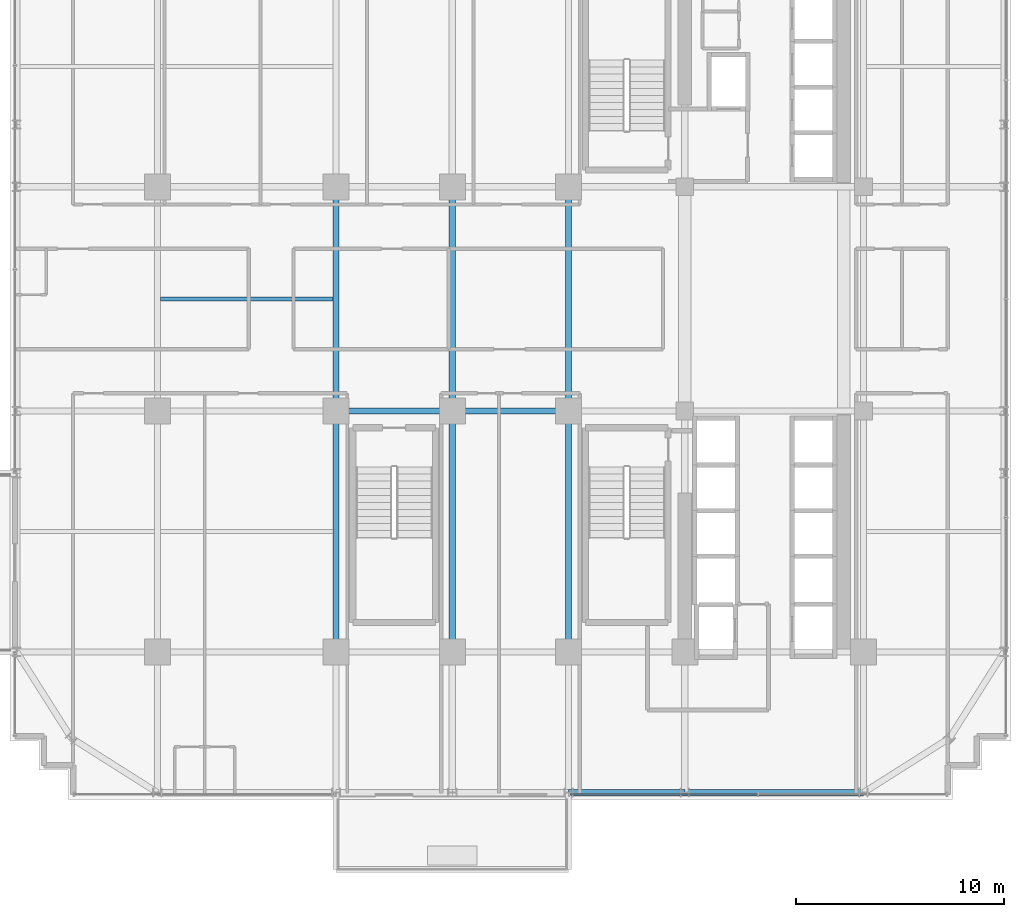
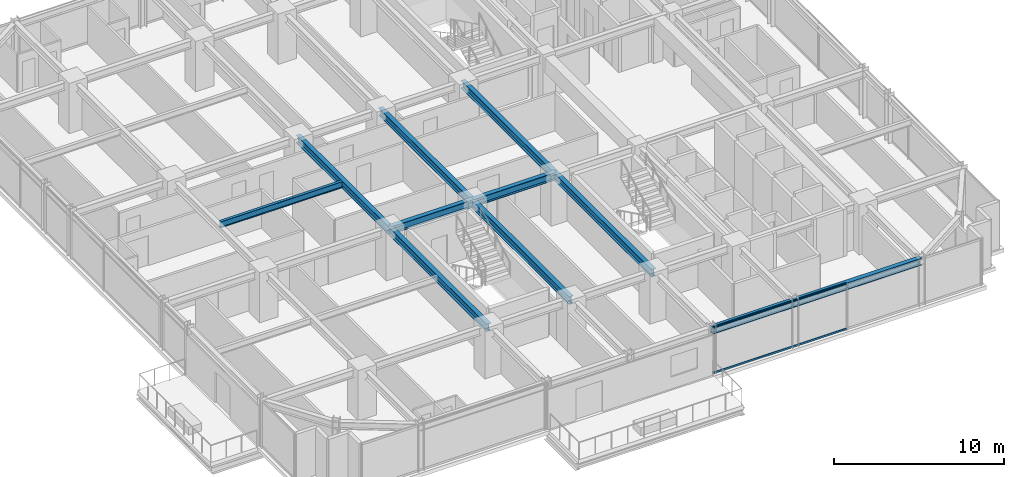
# One storey, part 9 of 31: 11 beams, 2 members, 1 element without a shape of its own.
"""IFC4 building model written with IfcOpenShell, lengths in metres."""

from ifc_helpers import new_model, si_unit, direction, frame, origin, origin_2d, place, context, subcontext, project, spatial, hollow_rectangle, i_section, extrude, source, transform, mapped, material, material_profile, profile_set, type_object, element, aggregate, save


model = new_model("IFC4")

# Units and contexts
model_context = context("Model", 3, precision=1e-05, world=origin(), true_north=direction((0.0, 1.0)))
body_context = subcontext(model_context, "Body", "Model", "MODEL_VIEW")
ifc_project = project(units=[si_unit("LENGTHUNIT", "METRE"), si_unit("AREAUNIT", "SQUARE_METRE"), si_unit("VOLUMEUNIT", "CUBIC_METRE"), si_unit("PLANEANGLEUNIT", "RADIAN"), si_unit("MASSUNIT", "GRAM", prefix="KILO")], contexts=[model_context])

# Site, building, storey
site_placement = place(None, origin())
site = spatial("IfcSite", under=ifc_project, at=site_placement, CompositionType="ELEMENT")
building_placement = place(site_placement, origin())
building = spatial("IfcBuilding", under=site, at=building_placement, Name="Nahalor Promenade Grand Hotel", CompositionType="ELEMENT")
storey_placement = place(building_placement, frame((0.0, 0.0, 95.60009765625)))
storey = spatial("IfcBuildingStorey", under=building, at=storey_placement, Name="L23", CompositionType="ELEMENT", Elevation=95.60009765625)

# Beams
ifc_material_1 = material(Name="Steel S355JR", Category="steel")
ifc_material_profile_1 = material_profile(ifc_material_1, i_section(OverallWidth=0.3, OverallDepth=0.5, WebThickness=0.0145, FlangeThickness=0.028, at=origin_2d()), Name="HEB 500")
ifc_profile_set_1 = profile_set([ifc_material_profile_1], Name="Steel S355JR")
beam_type_1 = type_object("IfcBeamType", Name="Beam-Spandrel-HEB500", PredefinedType="SPANDREL", material=ifc_profile_set_1)
shared_shape_1 = source(origin(), body_context, "Body", "SweptSolid", [
    extrude(i_section(OverallWidth=0.3, OverallDepth=0.5, WebThickness=0.0145, FlangeThickness=0.028, at=origin_2d()), origin(), (0.0, 0.0, 1.0), 8.60009765625),
])
beam_1_placement = place(storey_placement, frame((8.39990234375, -23.780029296875, 3.1298828125), z_axis=(1.0, 0.0, 0.0), x_axis=(0.0, 1.0, 0.0)))
element("IfcBeam", 1, at=beam_1_placement, inside=storey, type_object=beam_type_1, Name="BM-L23-SP-S-4", PredefinedType="SPANDREL", context=body_context, shape_type="MappedRepresentation", body=[
    mapped(shared_shape_1, transform((0.0, 0.0, 0.0), scale=1.0)),
])
shared_shape_2 = source(origin(), body_context, "Body", "SweptSolid", [
    extrude(i_section(OverallWidth=0.3, OverallDepth=0.5, WebThickness=0.0145, FlangeThickness=0.028, at=origin_2d()), origin(), (0.0, 0.0, 1.0), 5.599853515625),
])
beam_2_placement = place(storey_placement, frame((2.800048828125, -23.780029296875, 3.1298828125), z_axis=(1.0, 0.0, 0.0), x_axis=(0.0, 1.0, 0.0)))
element("IfcBeam", 2, at=beam_2_placement, inside=storey, type_object=beam_type_1, Name="BM-L23-SP-S-3", PredefinedType="SPANDREL", context=body_context, shape_type="MappedRepresentation", body=[
    mapped(shared_shape_2, transform((0.0, 0.0, 0.0), scale=1.0)),
])
ifc_material_profile_2 = material_profile(ifc_material_1, i_section(OverallWidth=0.3, OverallDepth=0.55, WebThickness=0.015, FlangeThickness=0.029, at=origin_2d()), Name="HEB 550")
ifc_profile_set_2 = profile_set([ifc_material_profile_2], Name="Steel S355JR")
beam_type_2 = type_object("IfcBeamType", Name="Beam-Girder-HEB550", PredefinedType="BEAM", material=ifc_profile_set_2)
shared_shape_3 = source(origin(), body_context, "Body", "SweptSolid", [
    extrude(i_section(OverallWidth=0.3, OverallDepth=0.55, WebThickness=0.015, FlangeThickness=0.029, at=origin_2d()), origin(), (0.0, 0.0, 1.0), 5.599853515625),
])
beam_3_placement = place(storey_placement, frame((-8.39990234375, -5.39990234375, 3.10498046875), z_axis=(1.0, 0.0, 0.0), x_axis=(0.0, 1.0, 0.0)))
element("IfcBeam", 3, at=beam_3_placement, inside=storey, type_object=beam_type_2, Name="BM-L23-GX-1-2", PredefinedType="BEAM", context=body_context, shape_type="MappedRepresentation", body=[
    mapped(shared_shape_3, transform((0.0, 0.0, 0.0), scale=1.0)),
])
shared_shape_4 = source(origin(), body_context, "Body", "SweptSolid", [
    extrude(i_section(OverallWidth=0.3, OverallDepth=0.55, WebThickness=0.015, FlangeThickness=0.029, at=origin_2d()), origin(), (0.0, 0.0, 1.0), 5.60009765625),
])
beam_4_placement = place(storey_placement, frame((-2.800048828125, -5.39990234375, 3.10498046875), z_axis=(1.0, 0.0, 0.0), x_axis=(0.0, 1.0, 0.0)))
element("IfcBeam", 4, at=beam_4_placement, inside=storey, type_object=beam_type_2, Name="BM-L23-GX-1-3", PredefinedType="BEAM", context=body_context, shape_type="MappedRepresentation", body=[
    mapped(shared_shape_4, transform((0.0, 0.0, 0.0), scale=1.0)),
])
shared_shape_5 = source(origin(), body_context, "Body", "SweptSolid", [
    extrude(i_section(OverallWidth=0.3, OverallDepth=0.55, WebThickness=0.015, FlangeThickness=0.029, at=origin_2d()), origin(), (0.0, 0.0, 1.0), 11.60009765625),
])
for number, where, z_axis, x_axis, name in (
    (5, (-8.39990234375, -17.0, 3.10498046875), (0.0, 1.0, 0.0), (-1.0, 0.0, 0.0), "BM-L23-GY-1-1"),
    (6, (-2.800048828125, -17.0, 3.10498046875), (0.0, 1.0, 0.0), (-1.0, 0.0, 0.0), "BM-L23-GY-2-1"),
    (7, (2.800048828125, -17.0, 3.10498046875), (0.0, 1.0, 0.0), (-1.0, 0.0, 0.0), "BM-L23-GY-3-1"),
):
    element("IfcBeam", number, at=place(storey_placement, frame(where, z_axis=z_axis, x_axis=x_axis)), inside=storey, type_object=beam_type_2, Name=name, PredefinedType="BEAM", context=body_context, shape_type="MappedRepresentation", body=[
        mapped(shared_shape_5, transform((0.0, 0.0, 0.0), scale=1.0)),
    ])
shared_shape_6 = source(origin(), body_context, "Body", "SweptSolid", [
    extrude(i_section(OverallWidth=0.3, OverallDepth=0.55, WebThickness=0.015, FlangeThickness=0.029, at=origin_2d()), origin(), (0.0, 0.0, 1.0), 10.7998046875),
])
for number, where, z_axis, x_axis, name in (
    (8, (-8.39990234375, -5.39990234375, 3.10498046875), (0.0, 1.0, 0.0), (-1.0, 0.0, 0.0), "BM-L23-GY-1-2"),
    (9, (-2.800048828125, -5.39990234375, 3.10498046875), (0.0, 1.0, 0.0), (-1.0, 0.0, 0.0), "BM-L23-GY-2-2"),
    (10, (2.800048828125, -5.39990234375, 3.10498046875), (0.0, 1.0, 0.0), (-1.0, 0.0, 0.0), "BM-L23-GY-3-2"),
):
    element("IfcBeam", number, at=place(storey_placement, frame(where, z_axis=z_axis, x_axis=x_axis)), inside=storey, type_object=beam_type_2, Name=name, PredefinedType="BEAM", context=body_context, shape_type="MappedRepresentation", body=[
        mapped(shared_shape_6, transform((0.0, 0.0, 0.0), scale=1.0)),
    ])
ifc_material_profile_3 = material_profile(ifc_material_1, i_section(OverallWidth=0.19, OverallDepth=0.45, WebThickness=0.0094, FlangeThickness=0.0146, at=origin_2d()), Name="IPE 450")
ifc_profile_set_3 = profile_set([ifc_material_profile_3], Name="Steel S355JR")
beam_type_3 = type_object("IfcBeamType", Name="Beam-Joist-IPE450", PredefinedType="JOIST", material=ifc_profile_set_3)
shared_shape_7 = source(origin(), body_context, "Body", "SweptSolid", [
    extrude(i_section(OverallWidth=0.19, OverallDepth=0.45, WebThickness=0.0094, FlangeThickness=0.0146, at=origin_2d()), origin(), (0.0, 0.0, 1.0), 8.300048828125),
])
beam_5_placement = place(storey_placement, frame((-16.85009765625, 0.0, 3.15478515625), z_axis=(1.0, 0.0, 0.0), x_axis=(0.0, 1.0, 0.0)))
element("IfcBeam", 11, at=beam_5_placement, inside=storey, type_object=beam_type_3, Name="BM-L23-JSC-0", PredefinedType="JOIST", context=body_context, shape_type="MappedRepresentation", body=[
    mapped(shared_shape_7, transform((0.0, 0.0, 0.0), scale=1.0)),
])

# Curtain wall, members
ifc_material_2 = material(Name="Anodised Bronze Aluminium EN AW-6063 T6", Category="aluminium")
curtain_wall_type = type_object("IfcCurtainWallType", Name="CW2 Typical Hotel Flush Bronze Unitised Curtain Wall", PredefinedType="USERDEFINED", material=ifc_material_2)
curtain_wall_placement = place(storey_placement, origin())
curtain_wall = element("IfcCurtainWall", 12, at=curtain_wall_placement, inside=storey, type_object=curtain_wall_type, Name="L23 Curtain Wall CW-L23-S-3", ObjectType="UNITISED_CURTAIN_WALL", PredefinedType="USERDEFINED")
ifc_material_profile_4 = material_profile(ifc_material_2, hollow_rectangle(XDim=0.065, YDim=0.13, WallThickness=0.004, at=origin_2d()), Name="CWT 65x130x4")
ifc_profile_set_4 = profile_set([ifc_material_profile_4], Name="Anodised Bronze Aluminium EN AW-6063 T6")
member_type = type_object("IfcMemberType", Name="CWT2 Typical Bronze Transom 65x130", PredefinedType="USERDEFINED", material=ifc_profile_set_4)
shared_shape_8 = source(origin(), body_context, "Body", "SweptSolid", [
    extrude(hollow_rectangle(XDim=0.065, YDim=0.13, WallThickness=0.004, at=origin_2d()), origin(), (0.0, 0.0, 1.0), 9.032470703125),
])
member_1_placement = place(storey_placement, frame((2.864990234375, -23.860107421875, 0.06494140625), z_axis=(1.0, 0.0, 0.0), x_axis=(0.0, 1.0, 0.0)))
member_1 = element("IfcMember", 13, at=member_1_placement, type_object=member_type, Name="CW-L23-S-3 Transom 0-0", ObjectType="TRANSOM", PredefinedType="USERDEFINED", context=body_context, shape_type="MappedRepresentation", body=[
    mapped(shared_shape_8, transform((0.0, 0.0, 0.0), scale=1.0)),
])
member_2_placement = place(storey_placement, frame((2.864990234375, -23.860107421875, 3.31494140625), z_axis=(1.0, 0.0, 0.0), x_axis=(0.0, 1.0, 0.0)))
member_2 = element("IfcMember", 14, at=member_2_placement, type_object=member_type, Name="CW-L23-S-3 Transom 0-1", ObjectType="TRANSOM", PredefinedType="USERDEFINED", context=body_context, shape_type="MappedRepresentation", body=[
    mapped(shared_shape_8, transform((0.0, 0.0, 0.0), scale=1.0)),
])
aggregate(curtain_wall, [member_1, member_2])

save(model, "model.ifc")
